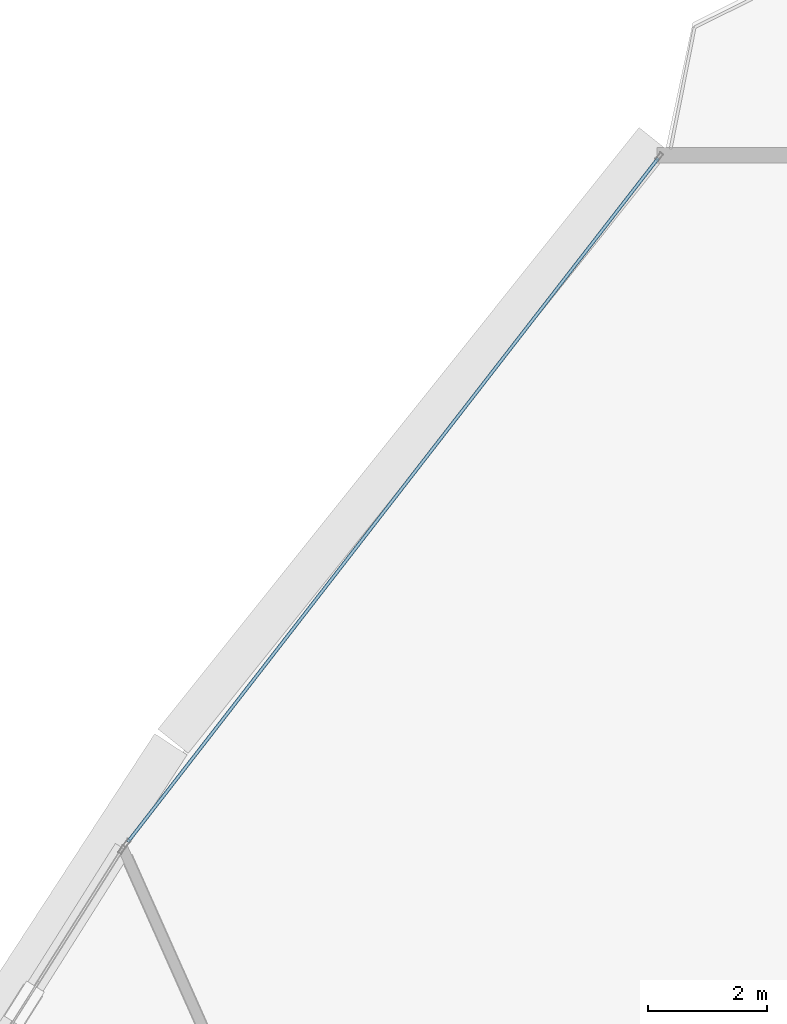
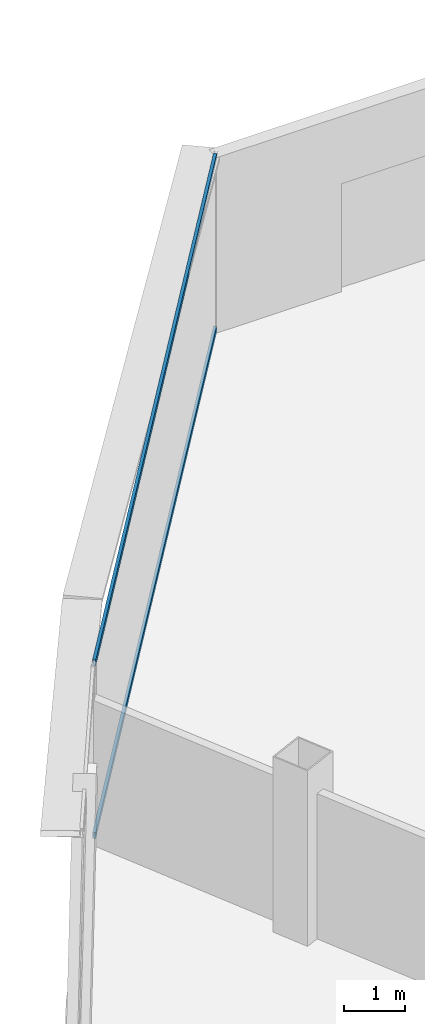
# One storey, part 21 of 33: 2 members, 1 element without a shape of its own.
"""IFC4 building model written with IfcOpenShell, lengths in metres."""

from ifc_helpers import new_model, si_unit, direction, frame, origin, origin_2d, place, context, subcontext, project, spatial, hollow_rectangle, extrude, source, transform, mapped, material, layer, layer_set, material_profile, profile_set, type_object, element, aggregate, save


model = new_model("IFC4")

# Units and contexts
model_context = context("Model", 3, precision=1e-05, world=origin(), true_north=direction((0.0, 1.0)))
body_context = subcontext(model_context, "Body", "Model", "MODEL_VIEW")
ifc_project = project(units=[si_unit("LENGTHUNIT", "METRE"), si_unit("AREAUNIT", "SQUARE_METRE"), si_unit("VOLUMEUNIT", "CUBIC_METRE"), si_unit("PLANEANGLEUNIT", "RADIAN"), si_unit("MASSUNIT", "GRAM", prefix="KILO"), si_unit("THERMODYNAMICTEMPERATUREUNIT", "KELVIN"), si_unit("POWERUNIT", "WATT")], contexts=[model_context])

# Site, building, storey
site_placement = place(None, origin())
site = spatial("IfcSite", under=ifc_project, at=site_placement, CompositionType="ELEMENT")
building_placement = place(site_placement, origin())
building = spatial("IfcBuilding", under=site, at=building_placement, Name="Yunzhuo Pagoda Commons", CompositionType="ELEMENT")
storey_placement = place(building_placement, frame((0.0, 0.0, 329.260009765625)))
storey = spatial("IfcBuildingStorey", under=building, at=storey_placement, Name="L82", CompositionType="ELEMENT", Elevation=329.260009765625)

# Curtain wall, members
ifc_material = material(Name="Anodized aluminium 6063-T6", Category="aluminium")
ifc_layer = layer(ifc_material, 0.139892578125)
ifc_layer_set = layer_set([ifc_layer], Name="Anodized aluminium 6063-T6")
curtain_wall_type = type_object("IfcCurtainWallType", Name="CW-HI High-Zone Ribbon Curtain Wall", PredefinedType="NOTDEFINED", material=ifc_layer_set)
curtain_wall_placement = place(storey_placement, origin())
curtain_wall = element("IfcCurtainWall", 1, at=curtain_wall_placement, inside=storey, type_object=curtain_wall_type, Name="L82 curtain wall CW-L82-F3B1", PredefinedType="NOTDEFINED")
ifc_material_profile = material_profile(ifc_material, hollow_rectangle(XDim=0.054931640625, YDim=0.1201171875, WallThickness=0.00341796875, at=origin_2d()), Name="Anodized aluminium 6063-T6")
ifc_profile_set = profile_set([ifc_material_profile], Name="Anodized aluminium 6063-T6")
member_type = type_object("IfcMemberType", Name="CW-HI-T Transom RHS 120x55x3.5", PredefinedType="USERDEFINED", material=ifc_profile_set)
shared_shape = source(origin(), body_context, "Body", "SweptSolid", [
    extrude(hollow_rectangle(XDim=0.054931640625, YDim=0.1201171875, WallThickness=0.00341796875, at=origin_2d()), origin(), (0.0, 0.0, 1.0), 14.537353515625),
])
member_1_placement = place(storey_placement, frame((44.774658203125, 72.73583984375, 0.027587890625), z_axis=(-0.612918112301, -0.790146434285, 0.0), x_axis=(0.790146434285, -0.612918112301, 0.0)))
member_1 = element("IfcMember", 2, at=member_1_placement, type_object=member_type, Name="CW transom 1.1", ObjectType="TRANSOM", PredefinedType="USERDEFINED", context=body_context, shape_type="MappedRepresentation", body=[
    mapped(shared_shape, transform((0.0, 0.0, 0.0), scale=1.0)),
])
member_2_placement = place(storey_placement, frame((44.774658203125, 72.73583984375, 3.46240234375), z_axis=(-0.612918112301, -0.790146434285, 0.0), x_axis=(0.790146434285, -0.612918112301, 0.0)))
member_2 = element("IfcMember", 3, at=member_2_placement, type_object=member_type, Name="CW transom 1.2", ObjectType="TRANSOM", PredefinedType="USERDEFINED", context=body_context, shape_type="MappedRepresentation", body=[
    mapped(shared_shape, transform((0.0, 0.0, 0.0), scale=1.0)),
])
aggregate(curtain_wall, [member_1, member_2])

save(model, "model.ifc")
